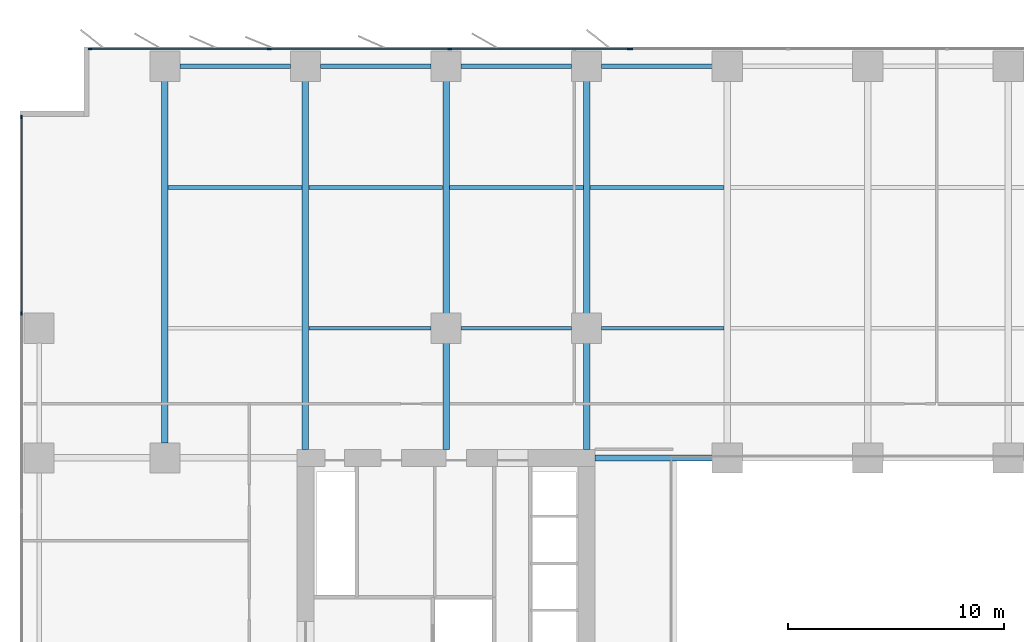
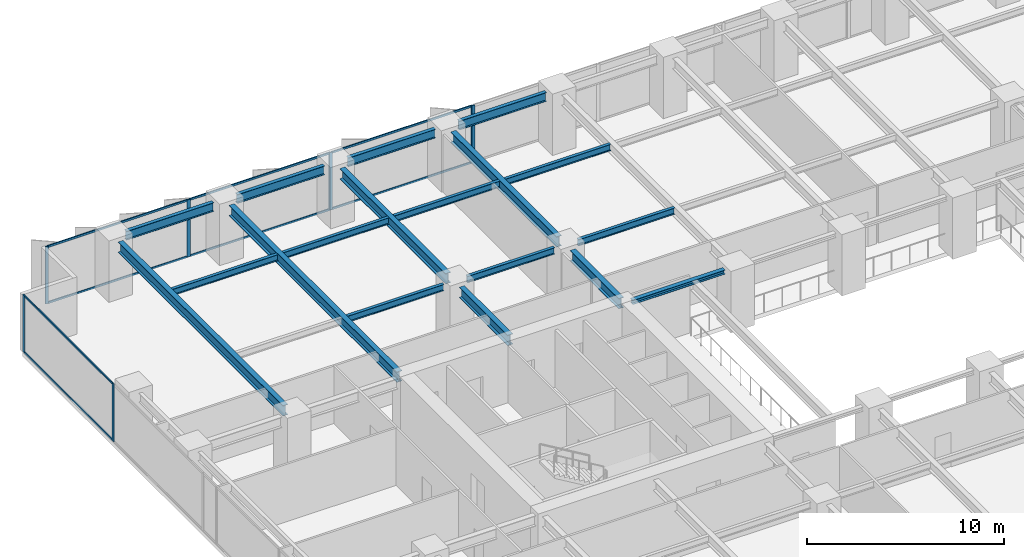
# One storey, part 7 of 20: 18 beams, 15 members, 3 elements without a shape of their own.
"""IFC4 building model written with IfcOpenShell, lengths in metres."""

from ifc_helpers import new_model, si_unit, direction, frame, origin, origin_2d, place, context, subcontext, project, spatial, rectangle, i_section, extrude, material, layer, layer_set, material_profile, profile_set, type_object, element, aggregate, save


model = new_model("IFC4")

# Units and contexts
model_context = context("Model", 3, precision=1e-05, world=origin(), true_north=direction((0.0, 1.0)))
body_context = subcontext(model_context, "Body", "Model", "MODEL_VIEW")
ifc_project = project(units=[si_unit("LENGTHUNIT", "METRE"), si_unit("AREAUNIT", "SQUARE_METRE"), si_unit("VOLUMEUNIT", "CUBIC_METRE"), si_unit("PLANEANGLEUNIT", "RADIAN"), si_unit("MASSUNIT", "GRAM", prefix="KILO")], contexts=[model_context])

# Site, building, storey
site_placement = place(None, origin())
site = spatial("IfcSite", under=ifc_project, at=site_placement, CompositionType="ELEMENT")
building_placement = place(site_placement, origin())
building = spatial("IfcBuilding", under=site, at=building_placement, Name="Putna Gate Headquarters", CompositionType="ELEMENT")
storey_placement = place(building_placement, frame((0.0, 0.0, 54.39990234375)))
storey = spatial("IfcBuildingStorey", under=building, at=storey_placement, Name="L12", CompositionType="ELEMENT", Elevation=54.39990234375)

# Beams
ifc_material_1 = material(Name="Steel S355J2", Category="steel")
ifc_material_profile_1 = material_profile(ifc_material_1, i_section(OverallWidth=0.260009765625, OverallDepth=0.260009765625, WebThickness=0.010009765625, FlangeThickness=0.017578125, at=origin_2d()), Name="Steel S355J2")
ifc_profile_set_1 = profile_set([ifc_material_profile_1], Name="Steel S355J2")
beam_type_1 = type_object("IfcBeamType", Name="BM-ATRIUM-HEB260", PredefinedType="BEAM", material=ifc_profile_set_1)
beam_1_placement = place(storey_placement, frame((26.385009765625, 33.0, 3.420166015625), z_axis=(1.0, 0.0, 0.0), x_axis=(0.0, 1.0, 0.0)))
element("IfcBeam", 1, at=beam_1_placement, inside=storey, type_object=beam_type_1, Name="L12 Atrium Edge Beam AN1", PredefinedType="BEAM", context=body_context, shape_type="SweptSolid", body=[
    extrude(i_section(OverallWidth=0.260009765625, OverallDepth=0.260009765625, WebThickness=0.010009765625, FlangeThickness=0.017578125, at=origin_2d()), origin(), (0.0, 0.0, 1.0), 5.427001953125),
])
ifc_material_profile_2 = material_profile(ifc_material_1, i_section(OverallWidth=0.300048828125, OverallDepth=0.64990234375, WebThickness=0.01611328125, FlangeThickness=0.031005859375, at=origin_2d()), Name="Steel S355J2")
ifc_profile_set_2 = profile_set([ifc_material_profile_2], Name="Steel S355J2")
beam_type_2 = type_object("IfcBeamType", Name="BM-GIRD-Z1-HEB650", PredefinedType="USERDEFINED", material=ifc_profile_set_2)
beam_2_placement = place(storey_placement, frame((6.5, 33.68798828125, 3.22509765625), z_axis=(0.0, 1.0, 0.0), x_axis=(-1.0, 0.0, 0.0)))
element("IfcBeam", 2, at=beam_2_placement, inside=storey, type_object=beam_type_2, Name="L12 North Primary Girder X6", ObjectType="GIRDER", PredefinedType="USERDEFINED", context=body_context, shape_type="SweptSolid", body=[
    extrude(i_section(OverallWidth=0.300048828125, OverallDepth=0.64990234375, WebThickness=0.01611328125, FlangeThickness=0.031005859375, at=origin_2d()), origin(), (0.0, 0.0, 1.0), 16.743896484375),
])
beam_3_placement = place(storey_placement, frame((13.0, 33.385009765625, 3.22509765625), z_axis=(0.0, 1.0, 0.0), x_axis=(-1.0, 0.0, 0.0)))
element("IfcBeam", 3, at=beam_3_placement, inside=storey, type_object=beam_type_2, Name="L12 North Primary Girder X13", ObjectType="GIRDER", PredefinedType="USERDEFINED", context=body_context, shape_type="SweptSolid", body=[
    extrude(i_section(OverallWidth=0.300048828125, OverallDepth=0.64990234375, WebThickness=0.01611328125, FlangeThickness=0.031005859375, at=origin_2d()), origin(), (0.0, 0.0, 1.0), 17.046875),
])
beam_4_placement = place(storey_placement, frame((19.5, 33.385009765625, 3.22509765625), z_axis=(0.0, 1.0, 0.0), x_axis=(-1.0, 0.0, 0.0)))
element("IfcBeam", 4, at=beam_4_placement, inside=storey, type_object=beam_type_2, Name="L12 North Primary Girder X19-1", ObjectType="GIRDER", PredefinedType="USERDEFINED", context=body_context, shape_type="SweptSolid", body=[
    extrude(i_section(OverallWidth=0.300048828125, OverallDepth=0.64990234375, WebThickness=0.01611328125, FlangeThickness=0.031005859375, at=origin_2d()), origin(), (0.0, 0.0, 1.0), 4.927001953125),
])
beam_5_placement = place(storey_placement, frame((19.5, 39.68798828125, 3.22509765625), z_axis=(0.0, 1.0, 0.0), x_axis=(-1.0, 0.0, 0.0)))
element("IfcBeam", 5, at=beam_5_placement, inside=storey, type_object=beam_type_2, Name="L12 North Primary Girder X19-2", ObjectType="GIRDER", PredefinedType="USERDEFINED", context=body_context, shape_type="SweptSolid", body=[
    extrude(i_section(OverallWidth=0.300048828125, OverallDepth=0.64990234375, WebThickness=0.01611328125, FlangeThickness=0.031005859375, at=origin_2d()), origin(), (0.0, 0.0, 1.0), 10.743896484375),
])
beam_6_placement = place(storey_placement, frame((26.0, 33.385009765625, 3.22509765625), z_axis=(0.0, 1.0, 0.0), x_axis=(-1.0, 0.0, 0.0)))
element("IfcBeam", 6, at=beam_6_placement, inside=storey, type_object=beam_type_2, Name="L12 North Primary Girder X26-1", ObjectType="GIRDER", PredefinedType="USERDEFINED", context=body_context, shape_type="SweptSolid", body=[
    extrude(i_section(OverallWidth=0.300048828125, OverallDepth=0.64990234375, WebThickness=0.01611328125, FlangeThickness=0.031005859375, at=origin_2d()), origin(), (0.0, 0.0, 1.0), 4.927001953125),
])
beam_7_placement = place(storey_placement, frame((26.0, 39.68798828125, 3.22509765625), z_axis=(0.0, 1.0, 0.0), x_axis=(-1.0, 0.0, 0.0)))
element("IfcBeam", 7, at=beam_7_placement, inside=storey, type_object=beam_type_2, Name="L12 North Primary Girder X26-2", ObjectType="GIRDER", PredefinedType="USERDEFINED", context=body_context, shape_type="SweptSolid", body=[
    extrude(i_section(OverallWidth=0.300048828125, OverallDepth=0.64990234375, WebThickness=0.01611328125, FlangeThickness=0.031005859375, at=origin_2d()), origin(), (0.0, 0.0, 1.0), 10.743896484375),
])
ifc_material_profile_3 = material_profile(ifc_material_1, i_section(OverallWidth=0.179931640625, OverallDepth=0.39990234375, WebThickness=0.008544921875, FlangeThickness=0.013427734375, at=origin_2d()), Name="Steel S355J2")
ifc_profile_set_3 = profile_set([ifc_material_profile_3], Name="Steel S355J2")
beam_type_3 = type_object("IfcBeamType", Name="BM-SEC-Z1-IPE400", PredefinedType="BEAM", material=ifc_profile_set_3)
beam_8_placement = place(storey_placement, frame((6.654052734375, 45.5, 3.35009765625), z_axis=(1.0, 0.0, 0.0), x_axis=(0.0, 1.0, 0.0)))
element("IfcBeam", 8, at=beam_8_placement, inside=storey, type_object=beam_type_3, Name="L12 North Secondary Beam 1", PredefinedType="BEAM", context=body_context, shape_type="SweptSolid", body=[
    extrude(i_section(OverallWidth=0.179931640625, OverallDepth=0.39990234375, WebThickness=0.008544921875, FlangeThickness=0.013427734375, at=origin_2d()), origin(), (0.0, 0.0, 1.0), 6.19189453125),
])
beam_9_placement = place(storey_placement, frame((13.154052734375, 39.0, 3.35009765625), z_axis=(1.0, 0.0, 0.0), x_axis=(0.0, 1.0, 0.0)))
element("IfcBeam", 9, at=beam_9_placement, inside=storey, type_object=beam_type_3, Name="L12 North Secondary Beam 2", PredefinedType="BEAM", context=body_context, shape_type="SweptSolid", body=[
    extrude(i_section(OverallWidth=0.179931640625, OverallDepth=0.39990234375, WebThickness=0.008544921875, FlangeThickness=0.013427734375, at=origin_2d()), origin(), (0.0, 0.0, 1.0), 5.657958984375),
])
beam_10_placement = place(storey_placement, frame((13.154052734375, 45.5, 3.35009765625), z_axis=(1.0, 0.0, 0.0), x_axis=(0.0, 1.0, 0.0)))
element("IfcBeam", 10, at=beam_10_placement, inside=storey, type_object=beam_type_3, Name="L12 North Secondary Beam 2", PredefinedType="BEAM", context=body_context, shape_type="SweptSolid", body=[
    extrude(i_section(OverallWidth=0.179931640625, OverallDepth=0.39990234375, WebThickness=0.008544921875, FlangeThickness=0.013427734375, at=origin_2d()), origin(), (0.0, 0.0, 1.0), 6.19189453125),
])
beam_11_placement = place(storey_placement, frame((20.18798828125, 39.0, 3.35009765625), z_axis=(1.0, 0.0, 0.0), x_axis=(0.0, 1.0, 0.0)))
element("IfcBeam", 11, at=beam_11_placement, inside=storey, type_object=beam_type_3, Name="L12 North Secondary Beam 3", PredefinedType="BEAM", context=body_context, shape_type="SweptSolid", body=[
    extrude(i_section(OverallWidth=0.179931640625, OverallDepth=0.39990234375, WebThickness=0.008544921875, FlangeThickness=0.013427734375, at=origin_2d()), origin(), (0.0, 0.0, 1.0), 5.1240234375),
])
beam_12_placement = place(storey_placement, frame((19.654052734375, 45.5, 3.35009765625), z_axis=(1.0, 0.0, 0.0), x_axis=(0.0, 1.0, 0.0)))
element("IfcBeam", 12, at=beam_12_placement, inside=storey, type_object=beam_type_3, Name="L12 North Secondary Beam 3", PredefinedType="BEAM", context=body_context, shape_type="SweptSolid", body=[
    extrude(i_section(OverallWidth=0.179931640625, OverallDepth=0.39990234375, WebThickness=0.008544921875, FlangeThickness=0.013427734375, at=origin_2d()), origin(), (0.0, 0.0, 1.0), 6.19189453125),
])
beam_13_placement = place(storey_placement, frame((26.68798828125, 39.0, 3.35009765625), z_axis=(1.0, 0.0, 0.0), x_axis=(0.0, 1.0, 0.0)))
element("IfcBeam", 13, at=beam_13_placement, inside=storey, type_object=beam_type_3, Name="L12 North Secondary Beam 4", PredefinedType="BEAM", context=body_context, shape_type="SweptSolid", body=[
    extrude(i_section(OverallWidth=0.179931640625, OverallDepth=0.39990234375, WebThickness=0.008544921875, FlangeThickness=0.013427734375, at=origin_2d()), origin(), (0.0, 0.0, 1.0), 5.657958984375),
])
beam_14_placement = place(storey_placement, frame((26.154052734375, 45.5, 3.35009765625), z_axis=(1.0, 0.0, 0.0), x_axis=(0.0, 1.0, 0.0)))
element("IfcBeam", 14, at=beam_14_placement, inside=storey, type_object=beam_type_3, Name="L12 North Secondary Beam 4", PredefinedType="BEAM", context=body_context, shape_type="SweptSolid", body=[
    extrude(i_section(OverallWidth=0.179931640625, OverallDepth=0.39990234375, WebThickness=0.008544921875, FlangeThickness=0.013427734375, at=origin_2d()), origin(), (0.0, 0.0, 1.0), 6.19189453125),
])
ifc_material_profile_4 = material_profile(ifc_material_1, i_section(OverallWidth=0.2099609375, OverallDepth=0.550048828125, WebThickness=0.010986328125, FlangeThickness=0.01708984375, at=origin_2d()), Name="Steel S355J2")
ifc_profile_set_4 = profile_set([ifc_material_profile_4], Name="Steel S355J2")
beam_type_4 = type_object("IfcBeamType", Name="BM-SPAN-Z1-IPE550", PredefinedType="SPANDREL", material=ifc_profile_set_4)
for number, where, z_axis, x_axis, name in (
    (15, (7.18798828125, 51.1201171875, 3.275146484375), (1.0, 0.0, 0.0), (0.0, 1.0, 0.0), "L12 N Perimeter Spandrel 1"),
    (16, (13.68798828125, 51.1201171875, 3.275146484375), (1.0, 0.0, 0.0), (0.0, 1.0, 0.0), "L12 N Perimeter Spandrel 2"),
    (17, (20.18798828125, 51.1201171875, 3.275146484375), (1.0, 0.0, 0.0), (0.0, 1.0, 0.0), "L12 N Perimeter Spandrel 3"),
    (18, (26.68798828125, 51.1201171875, 3.275146484375), (1.0, 0.0, 0.0), (0.0, 1.0, 0.0), "L12 N Perimeter Spandrel 4"),
):
    element("IfcBeam", number, at=place(storey_placement, frame(where, z_axis=z_axis, x_axis=x_axis)), inside=storey, type_object=beam_type_4, Name=name, PredefinedType="SPANDREL", context=body_context, shape_type="SweptSolid", body=[
        extrude(i_section(OverallWidth=0.2099609375, OverallDepth=0.550048828125, WebThickness=0.010986328125, FlangeThickness=0.01708984375, at=origin_2d()), origin(), (0.0, 0.0, 1.0), 5.1240234375),
    ])

# Curtain wall, members
ifc_material_2 = material(Name="Anodised bronze aluminium curtain wall", Category="aluminium")
ifc_layer_1 = layer(ifc_material_2, 0.179931640625)
ifc_layer_set_1 = layer_set([ifc_layer_1], Name="Anodised bronze aluminium curtain wall")
curtain_wall_type_1 = type_object("IfcCurtainWallType", Name="CW-SYS-Z1", PredefinedType="USERDEFINED", material=ifc_layer_set_1)
curtain_wall_1_placement = place(storey_placement, origin())
curtain_wall_1 = element("IfcCurtainWall", 19, at=curtain_wall_1_placement, inside=storey, type_object=curtain_wall_type_1, Name="L12 North West Curtain Wall", ObjectType="STICK CURTAIN WALL", PredefinedType="USERDEFINED")
ifc_material_3 = material(Name="Anodised bronze aluminium EN AW-6060", Category="aluminium")
ifc_material_profile_5 = material_profile(ifc_material_3, rectangle(XDim=0.070068359375, YDim=0.179931640625, at=origin_2d()), Name="Anodised bronze aluminium EN AW-6060")
ifc_profile_set_5 = profile_set([ifc_material_profile_5], Name="Anodised bronze aluminium EN AW-6060")
member_type_1 = type_object("IfcMemberType", Name="MULL-CWM-1", PredefinedType="MULLION", material=ifc_profile_set_5)
member_1_placement = place(storey_placement, frame((3.034912109375, 51.919921875, 0.0), z_axis=(0.0, 0.0, 1.0), x_axis=(0.0, 1.0, 0.0)))
member_1 = element("IfcMember", 20, at=member_1_placement, type_object=member_type_1, Name="CWS-1 mullion 1", PredefinedType="MULLION", context=body_context, shape_type="SweptSolid", body=[
    extrude(rectangle(XDim=0.070068359375, YDim=0.179931640625, at=origin_2d()), origin(), (0.0, 0.0, 1.0), 3.550048828125),
])
member_2_placement = place(storey_placement, frame((11.333251953125, 51.919921875, 0.0), z_axis=(0.0, 0.0, 1.0), x_axis=(0.0, 1.0, 0.0)))
member_2 = element("IfcMember", 21, at=member_2_placement, type_object=member_type_1, Name="CWS-1 mullion 2", PredefinedType="MULLION", context=body_context, shape_type="SweptSolid", body=[
    extrude(rectangle(XDim=0.070068359375, YDim=0.179931640625, at=origin_2d()), origin(), (0.0, 0.0, 1.0), 3.550048828125),
])
member_3_placement = place(storey_placement, frame((19.666748046875, 51.919921875, 0.0), z_axis=(0.0, 0.0, 1.0), x_axis=(0.0, 1.0, 0.0)))
member_3 = element("IfcMember", 22, at=member_3_placement, type_object=member_type_1, Name="CWS-1 mullion 3", PredefinedType="MULLION", context=body_context, shape_type="SweptSolid", body=[
    extrude(rectangle(XDim=0.070068359375, YDim=0.179931640625, at=origin_2d()), origin(), (0.0, 0.0, 1.0), 3.550048828125),
])
member_4_placement = place(storey_placement, frame((27.965087890625, 51.919921875, 0.0), z_axis=(0.0, 0.0, 1.0), x_axis=(0.0, 1.0, 0.0)))
member_4 = element("IfcMember", 23, at=member_4_placement, type_object=member_type_1, Name="CWS-1 mullion 4", PredefinedType="MULLION", context=body_context, shape_type="SweptSolid", body=[
    extrude(rectangle(XDim=0.070068359375, YDim=0.179931640625, at=origin_2d()), origin(), (0.0, 0.0, 1.0), 3.550048828125),
])

curtain_wall_2_placement = place(storey_placement, origin())
curtain_wall_2 = element("IfcCurtainWall", 24, at=curtain_wall_2_placement, inside=storey, type_object=curtain_wall_type_1, Name="L12 West Curtain Wall", ObjectType="STICK CURTAIN WALL", PredefinedType="USERDEFINED")
member_5_placement = place(storey_placement, frame((-0.1201171875, 39.679931640625, 0.0), z_axis=(0.0, 0.0, 1.0), x_axis=(-1.0, 0.0, 0.0)))
member_5 = element("IfcMember", 25, at=member_5_placement, type_object=member_type_1, Name="CWS-1 mullion 5", PredefinedType="MULLION", context=body_context, shape_type="SweptSolid", body=[
    extrude(rectangle(XDim=0.070068359375, YDim=0.179931640625, at=origin_2d()), origin(), (0.0, 0.0, 1.0), 3.550048828125),
])
member_6_placement = place(storey_placement, frame((-0.1201171875, 48.764892578125, 0.0), z_axis=(0.0, 0.0, 1.0), x_axis=(-1.0, 0.0, 0.0)))
member_6 = element("IfcMember", 26, at=member_6_placement, type_object=member_type_1, Name="CWS-1 mullion 6", PredefinedType="MULLION", context=body_context, shape_type="SweptSolid", body=[
    extrude(rectangle(XDim=0.070068359375, YDim=0.179931640625, at=origin_2d()), origin(), (0.0, 0.0, 1.0), 3.550048828125),
])

# Curtain wall, member
ifc_layer_2 = layer(ifc_material_2, 0.179931640625)
ifc_layer_set_2 = layer_set([ifc_layer_2], Name="Anodised bronze aluminium curtain wall")
curtain_wall_type_2 = type_object("IfcCurtainWallType", Name="CW-SYS-ATR", PredefinedType="USERDEFINED", material=ifc_layer_set_2)
curtain_wall_3_placement = place(storey_placement, origin())
curtain_wall_3 = element("IfcCurtainWall", 27, at=curtain_wall_3_placement, inside=storey, type_object=curtain_wall_type_2, Name="L12 North Atrium Clear Glazing", ObjectType="ATRIUM GLAZING", PredefinedType="USERDEFINED")
ifc_material_profile_6 = material_profile(ifc_material_3, rectangle(XDim=0.070068359375, YDim=0.179931640625, at=origin_2d()), Name="Anodised bronze aluminium EN AW-6060")
ifc_profile_set_6 = profile_set([ifc_material_profile_6], Name="Anodised bronze aluminium EN AW-6060")
member_type_2 = type_object("IfcMemberType", Name="MULL-CWM-AT", PredefinedType="MULLION", material=ifc_profile_set_6)
member_7_placement = place(storey_placement, frame((28.034912109375, 51.919921875, 0.0), z_axis=(0.0, 0.0, 1.0), x_axis=(0.0, 1.0, 0.0)))
member_7 = element("IfcMember", 28, at=member_7_placement, type_object=member_type_2, Name="CWS-AT mullion 1", PredefinedType="MULLION", context=body_context, shape_type="SweptSolid", body=[
    extrude(rectangle(XDim=0.070068359375, YDim=0.179931640625, at=origin_2d()), origin(), (0.0, 0.0, 1.0), 3.550048828125),
])
aggregate(curtain_wall_3, [member_7])

# Member
ifc_material_profile_7 = material_profile(ifc_material_3, rectangle(XDim=0.06494140625, YDim=0.1201171875, at=origin_2d()), Name="Anodised bronze aluminium EN AW-6060")
ifc_profile_set_7 = profile_set([ifc_material_profile_7], Name="Anodised bronze aluminium EN AW-6060")
member_type_3 = type_object("IfcMemberType", Name="TRAN-CWT-1", PredefinedType="USERDEFINED", material=ifc_profile_set_7)
member_8_placement = place(storey_placement, frame((3.070068359375, 51.919921875, 0.03271484375), z_axis=(1.0, 0.0, 0.0), x_axis=(0.0, 1.0, 0.0)))
member_8 = element("IfcMember", 29, at=member_8_placement, type_object=member_type_3, Name="CWS-1 transom 1.1", ObjectType="TRANSOM", PredefinedType="USERDEFINED", context=body_context, shape_type="SweptSolid", body=[
    extrude(rectangle(XDim=0.06494140625, YDim=0.1201171875, at=origin_2d()), origin(), (0.0, 0.0, 1.0), 8.228271484375),
])

member_9_placement = place(storey_placement, frame((3.070068359375, 51.919921875, 3.517578125), z_axis=(1.0, 0.0, 0.0), x_axis=(0.0, 1.0, 0.0)))
member_9 = element("IfcMember", 30, at=member_9_placement, type_object=member_type_3, Name="CWS-1 transom 1.2", ObjectType="TRANSOM", PredefinedType="USERDEFINED", context=body_context, shape_type="SweptSolid", body=[
    extrude(rectangle(XDim=0.06494140625, YDim=0.1201171875, at=origin_2d()), origin(), (0.0, 0.0, 1.0), 8.228271484375),
])

member_10_placement = place(storey_placement, frame((11.368408203125, 51.919921875, 0.03271484375), z_axis=(1.0, 0.0, 0.0), x_axis=(0.0, 1.0, 0.0)))
member_10 = element("IfcMember", 31, at=member_10_placement, type_object=member_type_3, Name="CWS-1 transom 2.1", ObjectType="TRANSOM", PredefinedType="USERDEFINED", context=body_context, shape_type="SweptSolid", body=[
    extrude(rectangle(XDim=0.06494140625, YDim=0.1201171875, at=origin_2d()), origin(), (0.0, 0.0, 1.0), 8.26318359375),
])

member_11_placement = place(storey_placement, frame((11.368408203125, 51.919921875, 3.517578125), z_axis=(1.0, 0.0, 0.0), x_axis=(0.0, 1.0, 0.0)))
member_11 = element("IfcMember", 32, at=member_11_placement, type_object=member_type_3, Name="CWS-1 transom 2.2", ObjectType="TRANSOM", PredefinedType="USERDEFINED", context=body_context, shape_type="SweptSolid", body=[
    extrude(rectangle(XDim=0.06494140625, YDim=0.1201171875, at=origin_2d()), origin(), (0.0, 0.0, 1.0), 8.26318359375),
])

member_12_placement = place(storey_placement, frame((19.70166015625, 51.919921875, 0.03271484375), z_axis=(1.0, 0.0, 0.0), x_axis=(0.0, 1.0, 0.0)))
member_12 = element("IfcMember", 33, at=member_12_placement, type_object=member_type_3, Name="CWS-1 transom 3.1", ObjectType="TRANSOM", PredefinedType="USERDEFINED", context=body_context, shape_type="SweptSolid", body=[
    extrude(rectangle(XDim=0.06494140625, YDim=0.1201171875, at=origin_2d()), origin(), (0.0, 0.0, 1.0), 8.228271484375),
])

member_13_placement = place(storey_placement, frame((19.70166015625, 51.919921875, 3.517578125), z_axis=(1.0, 0.0, 0.0), x_axis=(0.0, 1.0, 0.0)))
member_13 = element("IfcMember", 34, at=member_13_placement, type_object=member_type_3, Name="CWS-1 transom 3.2", ObjectType="TRANSOM", PredefinedType="USERDEFINED", context=body_context, shape_type="SweptSolid", body=[
    extrude(rectangle(XDim=0.06494140625, YDim=0.1201171875, at=origin_2d()), origin(), (0.0, 0.0, 1.0), 8.228271484375),
])

aggregate(curtain_wall_1, [member_1, member_2, member_3, member_4, member_8, member_9, member_10, member_11, member_12, member_13])

member_14_placement = place(storey_placement, frame((-0.1201171875, 39.715087890625, 0.03271484375), z_axis=(0.0, 1.0, 0.0), x_axis=(-1.0, 0.0, 0.0)))
member_14 = element("IfcMember", 35, at=member_14_placement, type_object=member_type_3, Name="CWS-1 transom 5.1", ObjectType="TRANSOM", PredefinedType="USERDEFINED", context=body_context, shape_type="SweptSolid", body=[
    extrude(rectangle(XDim=0.06494140625, YDim=0.1201171875, at=origin_2d()), origin(), (0.0, 0.0, 1.0), 9.014892578125),
])

member_15_placement = place(storey_placement, frame((-0.1201171875, 39.715087890625, 3.517578125), z_axis=(0.0, 1.0, 0.0), x_axis=(-1.0, 0.0, 0.0)))
member_15 = element("IfcMember", 36, at=member_15_placement, type_object=member_type_3, Name="CWS-1 transom 5.2", ObjectType="TRANSOM", PredefinedType="USERDEFINED", context=body_context, shape_type="SweptSolid", body=[
    extrude(rectangle(XDim=0.06494140625, YDim=0.1201171875, at=origin_2d()), origin(), (0.0, 0.0, 1.0), 9.014892578125),
])

aggregate(curtain_wall_2, [member_5, member_6, member_14, member_15])

save(model, "model.ifc")
